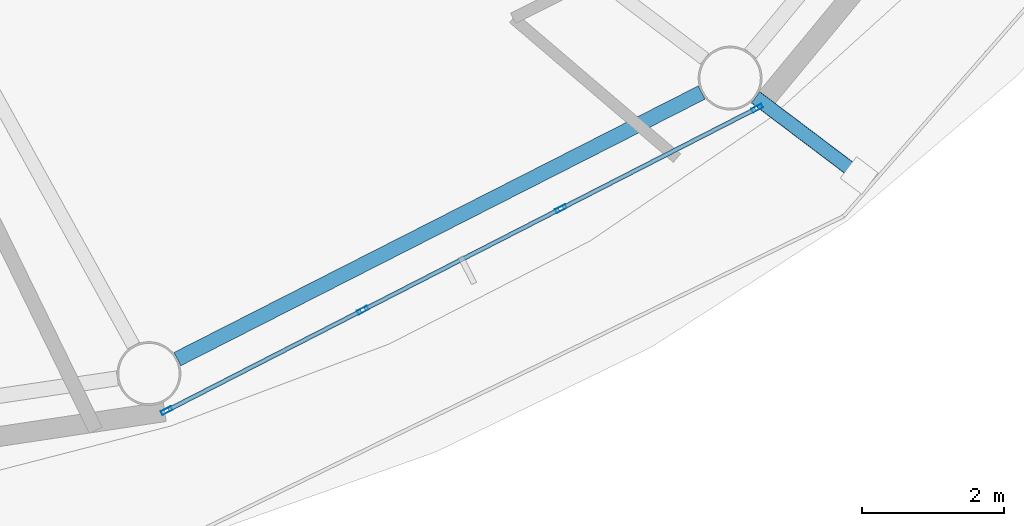
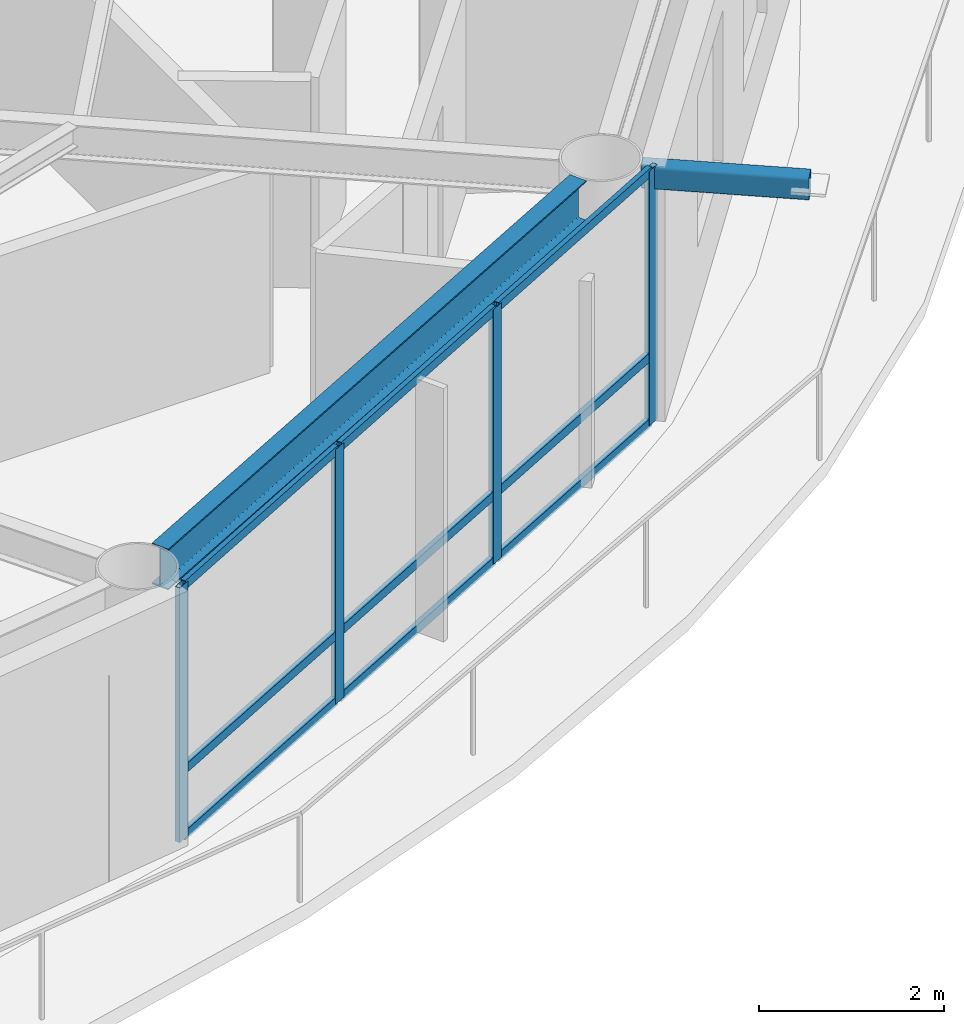
# One storey, part 5 of 23: 14 members, 1 beam, 1 element without a shape of its own.
"""IFC4 building model written with IfcOpenShell, lengths in metres."""

from ifc_helpers import new_model, si_unit, direction, frame, origin, origin_2d, place, context, subcontext, project, spatial, hollow_rectangle, i_section, extrude, material, layer, layer_set, material_profile, profile_set, type_object, element, aggregate, save


model = new_model("IFC4")

# Units and contexts
model_context = context("Model", 3, precision=1e-05, world=origin(), true_north=direction((0.0, 1.0)))
body_context = subcontext(model_context, "Body", "Model", "MODEL_VIEW")
ifc_project = project(units=[si_unit("LENGTHUNIT", "METRE"), si_unit("AREAUNIT", "SQUARE_METRE"), si_unit("VOLUMEUNIT", "CUBIC_METRE"), si_unit("PLANEANGLEUNIT", "RADIAN"), si_unit("MASSUNIT", "GRAM", prefix="KILO")], contexts=[model_context])

# Site, building, storey
site_placement = place(None, origin())
site = spatial("IfcSite", under=ifc_project, at=site_placement, CompositionType="ELEMENT")
building_placement = place(site_placement, origin())
building = spatial("IfcBuilding", under=site, at=building_placement, Name="Sarneth Arch Tower", CompositionType="ELEMENT")
storey_placement = place(building_placement, frame((0.0, 0.0, 231.60009765625)))
storey = spatial("IfcBuildingStorey", under=building, at=storey_placement, Name="L59", CompositionType="ELEMENT", Elevation=231.60009765625)

# Beam
ifc_material_1 = material(Name="Steel S355", Category="steel")
ifc_material_profile_1 = material_profile(ifc_material_1, i_section(OverallWidth=0.2109375, OverallDepth=0.5390625, WebThickness=0.01171875, FlangeThickness=0.018798828125, FilletRadius=0.01806640625, at=origin_2d()), Name="W530x109")
ifc_profile_set_1 = profile_set([ifc_material_profile_1], Name="Steel S355")
beam_type = type_object("IfcBeamType", Name="BM-RAD-530B", PredefinedType="BEAM", material=ifc_profile_set_1)
beam_placement = place(storey_placement, frame((58.19189453125, 24.465576171875, 3.09033203125), z_axis=(0.891376248079, 0.453264144138, 0.0), x_axis=(-0.453264144138, 0.891376248079, 0.0)))
element("IfcBeam", 1, at=beam_placement, inside=storey, type_object=beam_type, Name="L59 Perimeter spandrel beam 14", PredefinedType="BEAM", context=body_context, shape_type="SweptSolid", body=[
    extrude(i_section(OverallWidth=0.2109375, OverallDepth=0.5390625, WebThickness=0.01171875, FlangeThickness=0.018798828125, FilletRadius=0.01806640625, at=origin_2d()), origin(), (0.0, 0.0, 1.0), 8.281982421875),
])

# Curtain wall, members
ifc_material_2 = material(Name="Anodised aluminium Type AA25 and solar-control low-e laminated IGU", Category="aluminium")
ifc_layer = layer(ifc_material_2, 0.179931640625)
ifc_layer_set = layer_set([ifc_layer], Name="Anodised aluminium Type AA25 and solar-control low-e laminated IGU")
curtain_wall_type = type_object("IfcCurtainWallType", Name="CW-RES-HIGH", PredefinedType="NOTDEFINED", material=ifc_layer_set)
curtain_wall_placement = place(storey_placement, origin())
curtain_wall = element("IfcCurtainWall", 2, at=curtain_wall_placement, inside=storey, type_object=curtain_wall_type, Name="L59 Unitised curtain wall facet 14", PredefinedType="NOTDEFINED")
ifc_material_3 = material(Name="Anodised Aluminium 6063-T6", Category="aluminium")
ifc_material_profile_2 = material_profile(ifc_material_3, hollow_rectangle(XDim=0.06005859375, YDim=0.159912109375, WallThickness=0.00390625, at=origin_2d()), Name="AL-MULL-160x60x4")
ifc_profile_set_2 = profile_set([ifc_material_profile_2], Name="Anodised Aluminium 6063-T6")
member_type_1 = type_object("IfcMemberType", Name="CW-MULLION", PredefinedType="MULLION", material=ifc_profile_set_2)
member_1_placement = place(storey_placement, frame((58.039306640625, 23.7392578125, 0.0), z_axis=(0.0, 0.0, 1.0), x_axis=(-0.455941901753, 0.890009540525, 0.0)))
member_1 = element("IfcMember", 3, at=member_1_placement, type_object=member_type_1, Name="CW-SYS-6 mullion 1", PredefinedType="MULLION", context=body_context, shape_type="SweptSolid", body=[
    extrude(hollow_rectangle(XDim=0.06005859375, YDim=0.159912109375, WallThickness=0.00390625, at=origin_2d()), origin(), (0.0, 0.0, 1.0), 3.35986328125),
])
member_2_placement = place(storey_placement, frame((60.802490234375, 25.155029296875, 0.0), z_axis=(0.0, 0.0, 1.0), x_axis=(-0.455941901753, 0.890009540525, 0.0)))
member_2 = element("IfcMember", 4, at=member_2_placement, type_object=member_type_1, Name="CW-SYS-6 mullion 2", PredefinedType="MULLION", context=body_context, shape_type="SweptSolid", body=[
    extrude(hollow_rectangle(XDim=0.06005859375, YDim=0.159912109375, WallThickness=0.00390625, at=origin_2d()), origin(), (0.0, 0.0, 1.0), 3.35986328125),
])
member_3_placement = place(storey_placement, frame((63.592529296875, 26.584228515625, 0.0), z_axis=(0.0, 0.0, 1.0), x_axis=(-0.455941901753, 0.890009540525, 0.0)))
member_3 = element("IfcMember", 5, at=member_3_placement, type_object=member_type_1, Name="CW-SYS-6 mullion 3", PredefinedType="MULLION", context=body_context, shape_type="SweptSolid", body=[
    extrude(hollow_rectangle(XDim=0.06005859375, YDim=0.159912109375, WallThickness=0.00390625, at=origin_2d()), origin(), (0.0, 0.0, 1.0), 3.35986328125),
])
member_4_placement = place(storey_placement, frame((66.355712890625, 27.999755859375, 0.0), z_axis=(0.0, 0.0, 1.0), x_axis=(-0.455941901753, 0.890009540525, 0.0)))
member_4 = element("IfcMember", 6, at=member_4_placement, type_object=member_type_1, Name="CW-SYS-6 mullion 4", PredefinedType="MULLION", context=body_context, shape_type="SweptSolid", body=[
    extrude(hollow_rectangle(XDim=0.06005859375, YDim=0.159912109375, WallThickness=0.00390625, at=origin_2d()), origin(), (0.0, 0.0, 1.0), 3.35986328125),
])
ifc_material_4 = material(Name="Anodised Aluminium 6063-T6", Category="aluminium")
ifc_material_profile_3 = material_profile(ifc_material_4, hollow_rectangle(XDim=0.06005859375, YDim=0.1201171875, WallThickness=0.00390625, at=origin_2d()), Name="AL-TRAN-120x60x4")
ifc_profile_set_3 = profile_set([ifc_material_profile_3], Name="Anodised Aluminium 6063-T6")
member_type_2 = type_object("IfcMemberType", Name="CW-TRANSOM", PredefinedType="USERDEFINED", material=ifc_profile_set_3)
member_5_placement = place(storey_placement, frame((58.066162109375, 23.7529296875, 0.02978515625), z_axis=(0.889973523166, 0.456012201662, 0.0), x_axis=(-0.456012201662, 0.889973523166, 0.0)))
member_5 = element("IfcMember", 7, at=member_5_placement, type_object=member_type_2, Name="CW-SYS-6 transom 1.1", ObjectType="TRANSOM", PredefinedType="USERDEFINED", context=body_context, shape_type="SweptSolid", body=[
    extrude(hollow_rectangle(XDim=0.06005859375, YDim=0.1201171875, WallThickness=0.00390625, at=origin_2d()), origin(), (0.0, 0.0, 1.0), 3.044677734375),
])
member_6_placement = place(storey_placement, frame((58.066162109375, 23.7529296875, 0.89990234375), z_axis=(0.889973523166, 0.456012201662, 0.0), x_axis=(-0.456012201662, 0.889973523166, 0.0)))
member_6 = element("IfcMember", 8, at=member_6_placement, type_object=member_type_2, Name="CW-SYS-6 transom 1.2", ObjectType="TRANSOM", PredefinedType="USERDEFINED", context=body_context, shape_type="SweptSolid", body=[
    extrude(hollow_rectangle(XDim=0.06005859375, YDim=0.1201171875, WallThickness=0.00390625, at=origin_2d()), origin(), (0.0, 0.0, 1.0), 3.044677734375),
])
member_7_placement = place(storey_placement, frame((58.066162109375, 23.7529296875, 3.329833984375), z_axis=(0.889973523166, 0.456012201662, 0.0), x_axis=(-0.456012201662, 0.889973523166, 0.0)))
member_7 = element("IfcMember", 9, at=member_7_placement, type_object=member_type_2, Name="CW-SYS-6 transom 1.3", ObjectType="TRANSOM", PredefinedType="USERDEFINED", context=body_context, shape_type="SweptSolid", body=[
    extrude(hollow_rectangle(XDim=0.06005859375, YDim=0.1201171875, WallThickness=0.00390625, at=origin_2d()), origin(), (0.0, 0.0, 1.0), 3.044677734375),
])
member_8_placement = place(storey_placement, frame((60.829345703125, 25.168701171875, 0.02978515625), z_axis=(0.890017432405, 0.455926496286, 0.0), x_axis=(-0.455926496286, 0.890017432405, 0.0)))
member_8 = element("IfcMember", 10, at=member_8_placement, type_object=member_type_2, Name="CW-SYS-6 transom 2.1", ObjectType="TRANSOM", PredefinedType="USERDEFINED", context=body_context, shape_type="SweptSolid", body=[
    extrude(hollow_rectangle(XDim=0.06005859375, YDim=0.1201171875, WallThickness=0.00390625, at=origin_2d()), origin(), (0.0, 0.0, 1.0), 3.07470703125),
])
member_9_placement = place(storey_placement, frame((60.829345703125, 25.168701171875, 0.89990234375), z_axis=(0.890017432405, 0.455926496286, 0.0), x_axis=(-0.455926496286, 0.890017432405, 0.0)))
member_9 = element("IfcMember", 11, at=member_9_placement, type_object=member_type_2, Name="CW-SYS-6 transom 2.2", ObjectType="TRANSOM", PredefinedType="USERDEFINED", context=body_context, shape_type="SweptSolid", body=[
    extrude(hollow_rectangle(XDim=0.06005859375, YDim=0.1201171875, WallThickness=0.00390625, at=origin_2d()), origin(), (0.0, 0.0, 1.0), 3.07470703125),
])
member_10_placement = place(storey_placement, frame((60.829345703125, 25.168701171875, 3.329833984375), z_axis=(0.890017432405, 0.455926496286, 0.0), x_axis=(-0.455926496286, 0.890017432405, 0.0)))
member_10 = element("IfcMember", 12, at=member_10_placement, type_object=member_type_2, Name="CW-SYS-6 transom 2.3", ObjectType="TRANSOM", PredefinedType="USERDEFINED", context=body_context, shape_type="SweptSolid", body=[
    extrude(hollow_rectangle(XDim=0.06005859375, YDim=0.1201171875, WallThickness=0.00390625, at=origin_2d()), origin(), (0.0, 0.0, 1.0), 3.07470703125),
])
member_11_placement = place(storey_placement, frame((63.619140625, 26.597900390625, 0.02978515625), z_axis=(0.890022732705, 0.455916149384, 0.0), x_axis=(-0.455916149384, 0.890022732705, 0.0)))
member_11 = element("IfcMember", 13, at=member_11_placement, type_object=member_type_2, Name="CW-SYS-6 transom 3.1", ObjectType="TRANSOM", PredefinedType="USERDEFINED", context=body_context, shape_type="SweptSolid", body=[
    extrude(hollow_rectangle(XDim=0.06005859375, YDim=0.1201171875, WallThickness=0.00390625, at=origin_2d()), origin(), (0.0, 0.0, 1.0), 3.044921875),
])
member_12_placement = place(storey_placement, frame((63.619140625, 26.597900390625, 0.89990234375), z_axis=(0.890022732705, 0.455916149384, 0.0), x_axis=(-0.455916149384, 0.890022732705, 0.0)))
member_12 = element("IfcMember", 14, at=member_12_placement, type_object=member_type_2, Name="CW-SYS-6 transom 3.2", ObjectType="TRANSOM", PredefinedType="USERDEFINED", context=body_context, shape_type="SweptSolid", body=[
    extrude(hollow_rectangle(XDim=0.06005859375, YDim=0.1201171875, WallThickness=0.00390625, at=origin_2d()), origin(), (0.0, 0.0, 1.0), 3.044921875),
])
member_13_placement = place(storey_placement, frame((63.619140625, 26.597900390625, 3.329833984375), z_axis=(0.890022732705, 0.455916149384, 0.0), x_axis=(-0.455916149384, 0.890022732705, 0.0)))
member_13 = element("IfcMember", 15, at=member_13_placement, type_object=member_type_2, Name="CW-SYS-6 transom 3.3", ObjectType="TRANSOM", PredefinedType="USERDEFINED", context=body_context, shape_type="SweptSolid", body=[
    extrude(hollow_rectangle(XDim=0.06005859375, YDim=0.1201171875, WallThickness=0.00390625, at=origin_2d()), origin(), (0.0, 0.0, 1.0), 3.044921875),
])
aggregate(curtain_wall, [member_1, member_2, member_3, member_4, member_5, member_6, member_7, member_8, member_9, member_10, member_11, member_12, member_13])

# Member
ifc_material_5 = material(Name="Steel S355", Category="steel")
ifc_material_profile_4 = material_profile(ifc_material_5, hollow_rectangle(XDim=0.199951171875, YDim=0.300048828125, WallThickness=0.012451171875, InnerFilletRadius=0.018798828125, OuterFilletRadius=0.03125, at=origin_2d()), Name="RHS300x200x12.5")
ifc_profile_set_4 = profile_set([ifc_material_profile_4], Name="Steel S355")
member_type_3 = type_object("IfcMemberType", Name="MEM-CANT-STRUT", PredefinedType="STRUT", material=ifc_profile_set_4)
member_14_placement = place(storey_placement, frame((66.334228515625, 28.15234375, 3.199951171875), z_axis=(0.797991540924, -0.602668649105, 0.0), x_axis=(0.602668649105, 0.797991540924, 0.0)))
element("IfcMember", 16, at=member_14_placement, inside=storey, type_object=member_type_3, Name="L59 Balcony cantilever bracket 15", PredefinedType="STRUT", context=body_context, shape_type="SweptSolid", body=[
    extrude(hollow_rectangle(XDim=0.199951171875, YDim=0.300048828125, WallThickness=0.012451171875, InnerFilletRadius=0.018798828125, OuterFilletRadius=0.03125, at=origin_2d()), origin(), (0.0, 0.0, 1.0), 1.827392578125),
])

save(model, "model.ifc")
